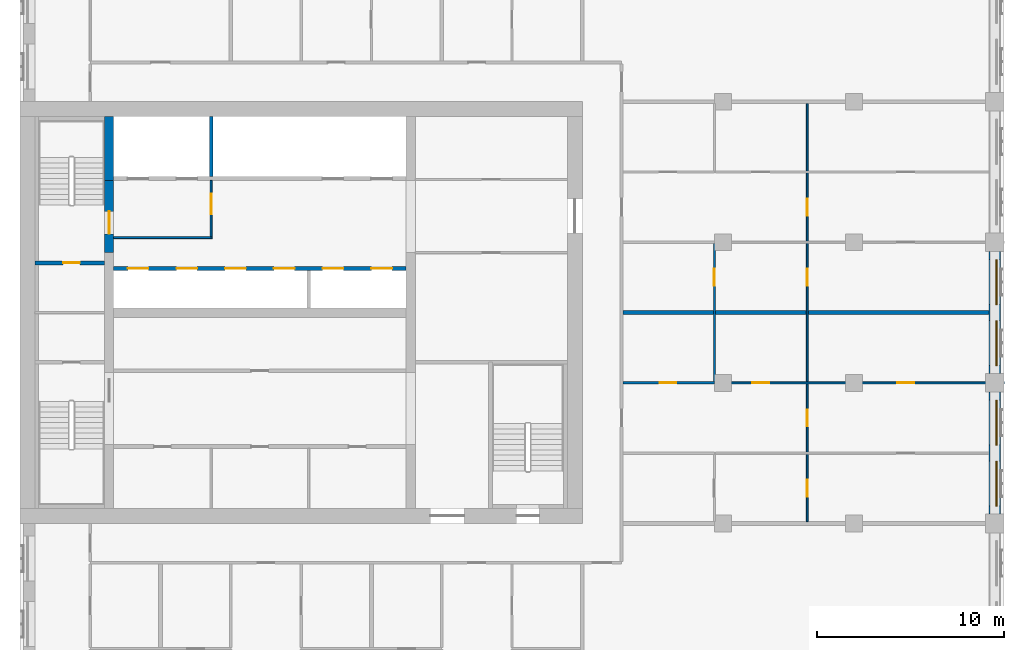
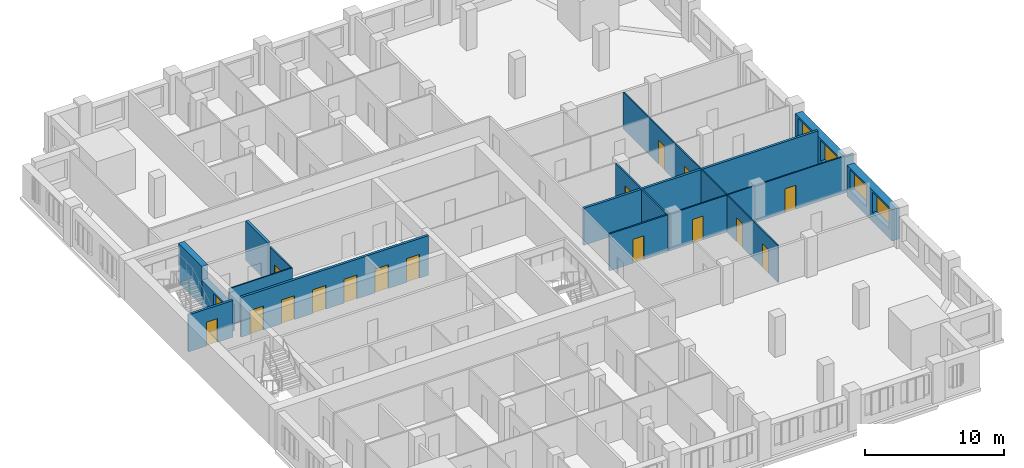
# One storey, part 9 of 14: 17 doors, 14 walls, 4 windows, 21 openings.
"""IFC4 building model written with IfcOpenShell, lengths in metres."""

from ifc_helpers import new_model, si_unit, direction, frame, frame_2d, origin, place, context, subcontext, project, spatial, rectangle, extrude, material, layer, layer_set, type_object, element, fill, save


model = new_model("IFC4")

# Units and contexts
model_context = context("Model", 3, precision=1e-05, world=origin(), true_north=direction((0.0, 1.0)))
body_context = subcontext(model_context, "Body", "Model", "MODEL_VIEW")
ifc_project = project(units=[si_unit("LENGTHUNIT", "METRE"), si_unit("AREAUNIT", "SQUARE_METRE"), si_unit("VOLUMEUNIT", "CUBIC_METRE"), si_unit("PLANEANGLEUNIT", "RADIAN"), si_unit("MASSUNIT", "GRAM", prefix="KILO")], contexts=[model_context])

# Site, building, storey
site_placement = place(None, origin())
site = spatial("IfcSite", under=ifc_project, at=site_placement, CompositionType="ELEMENT")
building_placement = place(site_placement, origin())
building = spatial("IfcBuilding", under=site, at=building_placement, Name="Tamorin Gate", CompositionType="ELEMENT")
storey_placement = place(building_placement, frame((0.0, 0.0, 193.199951171875)))
storey = spatial("IfcBuildingStorey", under=building, at=storey_placement, Name="L47", CompositionType="ELEMENT", Elevation=193.199951171875)

# Wall, openings, windows
ifc_material_1 = material(Name="Precast concrete C40/50", Category="concrete")
ifc_layer_1 = layer(ifc_material_1, 0.60009765625)
ifc_layer_set_1 = layer_set([ifc_layer_1], Name="Precast concrete C40/50")
wall_type_1 = type_object("IfcWallType", Name="Board-marked concrete facade panel 600", PredefinedType="SOLIDWALL", material=ifc_layer_set_1)
wall_1_placement = place(storey_placement, frame((82.0, 60.5, 0.0), z_axis=(0.0, 0.0, 1.0), x_axis=(0.0, 1.0, 0.0)))
wall_1 = element("IfcWall", 1, at=wall_1_placement, inside=storey, type_object=wall_type_1, Name="Facade panel", PredefinedType="SOLIDWALL", context=body_context, shape_type="SweptSolid", body=[
    extrude(rectangle(XDim=6.5, YDim=0.60009765625, at=frame_2d((3.25, 0.0))), origin(), (0.0, 0.0, 1.0), 2.75),
])
opening_1_placement = place(wall_1_placement, frame((0.425048828125, 0.0, 0.800048828125)))
opening_1 = element("IfcOpeningElement", 2, at=opening_1_placement, cuts=wall_1, Name="Opening WN1", PredefinedType="OPENING", context=body_context, shape_type="SweptSolid", body=[
    extrude(rectangle(XDim=2.39990234375, YDim=1.800048828125, at=frame_2d((1.199951171875, 0.89990234375))), frame((0.0, 0.31005859375, 0.0), z_axis=(0.0, -1.0, 0.0), x_axis=(1.0, 0.0, 0.0)), (0.0, 0.0, 1.0), 0.6201171875),
])
opening_2_placement = place(wall_1_placement, frame((3.675048828125, 0.0, 0.800048828125)))
opening_2 = element("IfcOpeningElement", 3, at=opening_2_placement, cuts=wall_1, Name="Opening WN1", PredefinedType="OPENING", context=body_context, shape_type="SweptSolid", body=[
    extrude(rectangle(XDim=2.39990234375, YDim=1.800048828125, at=frame_2d((1.199951171875, 0.89990234375))), frame((0.0, 0.31005859375, 0.0), z_axis=(0.0, -1.0, 0.0), x_axis=(1.0, 0.0, 0.0)), (0.0, 0.0, 1.0), 0.6201171875),
])
ifc_material_2 = material(Name="Clear glass in aluminium frame", Category="aluminium")
window_type = type_object("IfcWindowType", Name="Deep-set window 2400x1800", PartitioningType="SINGLE_PANEL", PredefinedType="WINDOW", material=ifc_material_2)
window_1_placement = place(opening_1_placement, origin())
window_1 = element("IfcWindow", 4, at=window_1_placement, inside=storey, type_object=window_type, Name="Deep-set window", OverallHeight=1.800048828125, OverallWidth=2.39990234375, PartitioningType="SINGLE_PANEL", PredefinedType="WINDOW", context=body_context, shape_type="SweptSolid", body=[
    extrude(rectangle(XDim=2.39990234375, YDim=1.800048828125, at=frame_2d((1.199951171875, 0.89990234375))), frame((0.0, -0.070068359375, 0.0), z_axis=(0.0, -1.0, 0.0), x_axis=(1.0, 0.0, 0.0)), (0.0, 0.0, 1.0), 0.06005859375),
])
fill(opening_1, window_1)
window_2_placement = place(opening_2_placement, origin())
window_2 = element("IfcWindow", 5, at=window_2_placement, inside=storey, type_object=window_type, Name="Deep-set window", OverallHeight=1.800048828125, OverallWidth=2.39990234375, PartitioningType="SINGLE_PANEL", PredefinedType="WINDOW", context=body_context, shape_type="SweptSolid", body=[
    extrude(rectangle(XDim=2.39990234375, YDim=1.800048828125, at=frame_2d((1.199951171875, 0.89990234375))), frame((0.0, -0.070068359375, 0.0), z_axis=(0.0, -1.0, 0.0), x_axis=(1.0, 0.0, 0.0)), (0.0, 0.0, 1.0), 0.06005859375),
])
fill(opening_2, window_2)

wall_2_placement = place(storey_placement, frame((82.0, 68.0, 0.0), z_axis=(0.0, 0.0, 1.0), x_axis=(0.0, 1.0, 0.0)))
wall_2 = element("IfcWall", 6, at=wall_2_placement, inside=storey, type_object=wall_type_1, Name="Facade panel", PredefinedType="SOLIDWALL", context=body_context, shape_type="SweptSolid", body=[
    extrude(rectangle(XDim=6.5, YDim=0.60009765625, at=frame_2d((3.25, 0.0))), origin(), (0.0, 0.0, 1.0), 2.75),
])
opening_3_placement = place(wall_2_placement, frame((0.425048828125, 0.0, 0.800048828125)))
opening_3 = element("IfcOpeningElement", 7, at=opening_3_placement, cuts=wall_2, Name="Opening WN1", PredefinedType="OPENING", context=body_context, shape_type="SweptSolid", body=[
    extrude(rectangle(XDim=2.39990234375, YDim=1.800048828125, at=frame_2d((1.199951171875, 0.89990234375))), frame((0.0, 0.31005859375, 0.0), z_axis=(0.0, -1.0, 0.0), x_axis=(1.0, 0.0, 0.0)), (0.0, 0.0, 1.0), 0.6201171875),
])
opening_4_placement = place(wall_2_placement, frame((3.675048828125, 0.0, 0.800048828125)))
opening_4 = element("IfcOpeningElement", 8, at=opening_4_placement, cuts=wall_2, Name="Opening WN1", PredefinedType="OPENING", context=body_context, shape_type="SweptSolid", body=[
    extrude(rectangle(XDim=2.39990234375, YDim=1.800048828125, at=frame_2d((1.199951171875, 0.89990234375))), frame((0.0, 0.31005859375, 0.0), z_axis=(0.0, -1.0, 0.0), x_axis=(1.0, 0.0, 0.0)), (0.0, 0.0, 1.0), 0.6201171875),
])
window_3_placement = place(opening_3_placement, origin())
window_3 = element("IfcWindow", 9, at=window_3_placement, inside=storey, type_object=window_type, Name="Deep-set window", OverallHeight=1.800048828125, OverallWidth=2.39990234375, PartitioningType="SINGLE_PANEL", PredefinedType="WINDOW", context=body_context, shape_type="SweptSolid", body=[
    extrude(rectangle(XDim=2.39990234375, YDim=1.800048828125, at=frame_2d((1.199951171875, 0.89990234375))), frame((0.0, -0.070068359375, 0.0), z_axis=(0.0, -1.0, 0.0), x_axis=(1.0, 0.0, 0.0)), (0.0, 0.0, 1.0), 0.06005859375),
])
fill(opening_3, window_3)
window_4_placement = place(opening_4_placement, origin())
window_4 = element("IfcWindow", 10, at=window_4_placement, inside=storey, type_object=window_type, Name="Deep-set window", OverallHeight=1.800048828125, OverallWidth=2.39990234375, PartitioningType="SINGLE_PANEL", PredefinedType="WINDOW", context=body_context, shape_type="SweptSolid", body=[
    extrude(rectangle(XDim=2.39990234375, YDim=1.800048828125, at=frame_2d((1.199951171875, 0.89990234375))), frame((0.0, -0.070068359375, 0.0), z_axis=(0.0, -1.0, 0.0), x_axis=(1.0, 0.0, 0.0)), (0.0, 0.0, 1.0), 0.06005859375),
])
fill(opening_4, window_4)

# Wall
ifc_material_3 = material(Name="Gypsum board partition")
ifc_layer_2 = layer(ifc_material_3, 0.199951171875)
ifc_layer_set_2 = layer_set([ifc_layer_2], Name="Demising wall 200")
wall_type_2 = type_object("IfcWallType", Name="Demising wall 200", PredefinedType="PARTITIONING", material=ifc_layer_set_2)
wall_3_placement = place(storey_placement, frame((62.175048828125, 71.25, 0.0), z_axis=(0.0, 0.0, 1.0), x_axis=(1.0, 0.0, 0.0)))
element("IfcWall", 11, at=wall_3_placement, inside=storey, type_object=wall_type_2, Name="Demising wall 200", PredefinedType="PARTITIONING", context=body_context, shape_type="SweptSolid", body=[
    extrude(rectangle(XDim=19.514892578125, YDim=0.199951171875, at=frame_2d((9.75732421875, 0.0))), origin(), (0.0, 0.0, 1.0), 3.25),
])

# Wall, openings, doors
ifc_material_4 = material(Name="Concrete C32/40", Category="concrete")
ifc_layer_3 = layer(ifc_material_4, 0.199951171875)
ifc_layer_set_3 = layer_set([ifc_layer_3], Name="Lift lobby face wall 200 EI 120")
wall_type_3 = type_object("IfcWallType", Name="Lift lobby face wall 200 EI 120", PredefinedType="SOLIDWALL", material=ifc_layer_set_3)
wall_4_placement = place(storey_placement, frame((35.0, 73.60009765625, 0.0), z_axis=(0.0, 0.0, 1.0), x_axis=(1.0, 0.0, 0.0)))
wall_4 = element("IfcWall", 12, at=wall_4_placement, inside=storey, type_object=wall_type_3, Name="Lift lobby face wall", PredefinedType="SOLIDWALL", context=body_context, shape_type="SweptSolid", body=[
    extrude(rectangle(XDim=15.60009765625, YDim=0.199951171875, at=frame_2d((7.800048828125, 0.0))), origin(), (0.0, 0.0, 1.0), 3.5),
])
opening_5_placement = place(wall_4_placement, frame((0.75, 0.0, 0.0)))
opening_5 = element("IfcOpeningElement", 13, at=opening_5_placement, cuts=wall_4, Name="Opening LD11", PredefinedType="OPENING", context=body_context, shape_type="SweptSolid", body=[
    extrude(rectangle(XDim=1.10009765625, YDim=2.10009765625, at=frame_2d((0.550048828125, 1.050048828125))), frame((0.0, 0.10986328125, 0.0), z_axis=(0.0, -1.0, 0.0), x_axis=(1.0, 0.0, 0.0)), (0.0, 0.0, 1.0), 0.219970703125),
])
opening_6_placement = place(wall_4_placement, frame((3.35009765625, 0.0, 0.0)))
opening_6 = element("IfcOpeningElement", 14, at=opening_6_placement, cuts=wall_4, Name="Opening LD12", PredefinedType="OPENING", context=body_context, shape_type="SweptSolid", body=[
    extrude(rectangle(XDim=1.10009765625, YDim=2.10009765625, at=frame_2d((0.550048828125, 1.050048828125))), frame((0.0, 0.10986328125, 0.0), z_axis=(0.0, -1.0, 0.0), x_axis=(1.0, 0.0, 0.0)), (0.0, 0.0, 1.0), 0.219970703125),
])
opening_7_placement = place(wall_4_placement, frame((5.949951171875, 0.0, 0.0)))
opening_7 = element("IfcOpeningElement", 15, at=opening_7_placement, cuts=wall_4, Name="Opening LD13", PredefinedType="OPENING", context=body_context, shape_type="SweptSolid", body=[
    extrude(rectangle(XDim=1.10009765625, YDim=2.10009765625, at=frame_2d((0.550048828125, 1.050048828125))), frame((0.0, 0.10986328125, 0.0), z_axis=(0.0, -1.0, 0.0), x_axis=(1.0, 0.0, 0.0)), (0.0, 0.0, 1.0), 0.219970703125),
])
opening_8_placement = place(wall_4_placement, frame((8.550048828125, 0.0, 0.0)))
opening_8 = element("IfcOpeningElement", 16, at=opening_8_placement, cuts=wall_4, Name="Opening LD14", PredefinedType="OPENING", context=body_context, shape_type="SweptSolid", body=[
    extrude(rectangle(XDim=1.10009765625, YDim=2.10009765625, at=frame_2d((0.550048828125, 1.050048828125))), frame((0.0, 0.10986328125, 0.0), z_axis=(0.0, -1.0, 0.0), x_axis=(1.0, 0.0, 0.0)), (0.0, 0.0, 1.0), 0.219970703125),
])
opening_9_placement = place(wall_4_placement, frame((11.14990234375, 0.0, 0.0)))
opening_9 = element("IfcOpeningElement", 17, at=opening_9_placement, cuts=wall_4, Name="Opening LD15", PredefinedType="OPENING", context=body_context, shape_type="SweptSolid", body=[
    extrude(rectangle(XDim=1.10009765625, YDim=2.10009765625, at=frame_2d((0.550048828125, 1.050048828125))), frame((0.0, 0.10986328125, 0.0), z_axis=(0.0, -1.0, 0.0), x_axis=(1.0, 0.0, 0.0)), (0.0, 0.0, 1.0), 0.219970703125),
])
opening_10_placement = place(wall_4_placement, frame((13.75, 0.0, 0.0)))
opening_10 = element("IfcOpeningElement", 18, at=opening_10_placement, cuts=wall_4, Name="Opening LD16", PredefinedType="OPENING", context=body_context, shape_type="SweptSolid", body=[
    extrude(rectangle(XDim=1.10009765625, YDim=2.10009765625, at=frame_2d((0.550048828125, 1.050048828125))), frame((0.0, 0.10986328125, 0.0), z_axis=(0.0, -1.0, 0.0), x_axis=(1.0, 0.0, 0.0)), (0.0, 0.0, 1.0), 0.219970703125),
])
ifc_material_5 = material(Name="Stainless steel sliding door", Category="steel")
door_type_1 = type_object("IfcDoorType", Name="Lift landing door 1100 x 2100 E 90", OperationType="DOUBLE_DOOR_SLIDING", PredefinedType="DOOR", material=ifc_material_5)
door_1_placement = place(opening_5_placement, origin())
door_1 = element("IfcDoor", 19, at=door_1_placement, inside=storey, type_object=door_type_1, Name="HR1 landing door", OperationType="DOUBLE_DOOR_SLIDING", OverallHeight=2.10009765625, OverallWidth=1.10009765625, PredefinedType="DOOR", context=body_context, shape_type="SweptSolid", body=[
    extrude(rectangle(XDim=1.10009765625, YDim=2.10009765625, at=frame_2d((0.550048828125, 1.050048828125))), frame((0.0, 0.02490234375, 0.0), z_axis=(0.0, -1.0, 0.0), x_axis=(1.0, 0.0, 0.0)), (0.0, 0.0, 1.0), 0.050048828125),
])
fill(opening_5, door_1)
door_2_placement = place(opening_6_placement, origin())
door_2 = element("IfcDoor", 20, at=door_2_placement, inside=storey, type_object=door_type_1, Name="HR2 landing door", OperationType="DOUBLE_DOOR_SLIDING", OverallHeight=2.10009765625, OverallWidth=1.10009765625, PredefinedType="DOOR", context=body_context, shape_type="SweptSolid", body=[
    extrude(rectangle(XDim=1.10009765625, YDim=2.10009765625, at=frame_2d((0.550048828125, 1.050048828125))), frame((0.0, 0.02490234375, 0.0), z_axis=(0.0, -1.0, 0.0), x_axis=(1.0, 0.0, 0.0)), (0.0, 0.0, 1.0), 0.050048828125),
])
fill(opening_6, door_2)
door_3_placement = place(opening_7_placement, origin())
door_3 = element("IfcDoor", 21, at=door_3_placement, inside=storey, type_object=door_type_1, Name="HR3 landing door", OperationType="DOUBLE_DOOR_SLIDING", OverallHeight=2.10009765625, OverallWidth=1.10009765625, PredefinedType="DOOR", context=body_context, shape_type="SweptSolid", body=[
    extrude(rectangle(XDim=1.10009765625, YDim=2.10009765625, at=frame_2d((0.550048828125, 1.050048828125))), frame((0.0, 0.02490234375, 0.0), z_axis=(0.0, -1.0, 0.0), x_axis=(1.0, 0.0, 0.0)), (0.0, 0.0, 1.0), 0.050048828125),
])
fill(opening_7, door_3)
door_4_placement = place(opening_8_placement, origin())
door_4 = element("IfcDoor", 22, at=door_4_placement, inside=storey, type_object=door_type_1, Name="HR4 landing door", OperationType="DOUBLE_DOOR_SLIDING", OverallHeight=2.10009765625, OverallWidth=1.10009765625, PredefinedType="DOOR", context=body_context, shape_type="SweptSolid", body=[
    extrude(rectangle(XDim=1.10009765625, YDim=2.10009765625, at=frame_2d((0.550048828125, 1.050048828125))), frame((0.0, 0.02490234375, 0.0), z_axis=(0.0, -1.0, 0.0), x_axis=(1.0, 0.0, 0.0)), (0.0, 0.0, 1.0), 0.050048828125),
])
fill(opening_8, door_4)
door_5_placement = place(opening_9_placement, origin())
door_5 = element("IfcDoor", 23, at=door_5_placement, inside=storey, type_object=door_type_1, Name="HR5 landing door", OperationType="DOUBLE_DOOR_SLIDING", OverallHeight=2.10009765625, OverallWidth=1.10009765625, PredefinedType="DOOR", context=body_context, shape_type="SweptSolid", body=[
    extrude(rectangle(XDim=1.10009765625, YDim=2.10009765625, at=frame_2d((0.550048828125, 1.050048828125))), frame((0.0, 0.02490234375, 0.0), z_axis=(0.0, -1.0, 0.0), x_axis=(1.0, 0.0, 0.0)), (0.0, 0.0, 1.0), 0.050048828125),
])
fill(opening_9, door_5)
door_6_placement = place(opening_10_placement, origin())
door_6 = element("IfcDoor", 24, at=door_6_placement, inside=storey, type_object=door_type_1, Name="HR6 landing door", OperationType="DOUBLE_DOOR_SLIDING", OverallHeight=2.10009765625, OverallWidth=1.10009765625, PredefinedType="DOOR", context=body_context, shape_type="SweptSolid", body=[
    extrude(rectangle(XDim=1.10009765625, YDim=2.10009765625, at=frame_2d((0.550048828125, 1.050048828125))), frame((0.0, 0.02490234375, 0.0), z_axis=(0.0, -1.0, 0.0), x_axis=(1.0, 0.0, 0.0)), (0.0, 0.0, 1.0), 0.050048828125),
])
fill(opening_10, door_6)

# Walls
ifc_layer_4 = layer(ifc_material_4, 0.199951171875)
ifc_layer_set_4 = layer_set([ifc_layer_4], Name="Lift shaft wall 200 EI 120")
wall_type_4 = type_object("IfcWallType", Name="Lift shaft wall 200 EI 120", PredefinedType="SOLIDWALL", material=ifc_layer_set_4)
wall_5_placement = place(storey_placement, frame((40.199951171875, 78.5, 0.0), z_axis=(0.0, 0.0, 1.0), x_axis=(0.0, 1.0, 0.0)))
element("IfcWall", 25, at=wall_5_placement, inside=storey, type_object=wall_type_4, Name="Lift shaft wall", PredefinedType="SOLIDWALL", context=body_context, shape_type="SweptSolid", body=[
    extrude(rectangle(XDim=3.199951171875, YDim=0.199951171875, at=frame_2d((1.60009765625, 0.0))), origin(), (0.0, 0.0, 1.0), 3.5),
])
ifc_material_6 = material(Name="Fire-rated gypsum board partition")
ifc_layer_5 = layer(ifc_material_6, 0.10009765625)
ifc_layer_set_5 = layer_set([ifc_layer_5], Name="Lobby wall 100 EI 60")
wall_type_5 = type_object("IfcWallType", Name="Lobby wall 100 EI 60", PredefinedType="PARTITIONING", material=ifc_layer_set_5)
wall_6_placement = place(storey_placement, frame((35.0, 75.25, 0.0), z_axis=(0.0, 0.0, 1.0), x_axis=(1.0, 0.0, 0.0)))
element("IfcWall", 26, at=wall_6_placement, inside=storey, type_object=wall_type_5, Name="Firefighting lobby wall", PredefinedType="PARTITIONING", context=body_context, shape_type="SweptSolid", body=[
    extrude(rectangle(XDim=5.25, YDim=0.10009765625, at=frame_2d((2.625, 0.0))), origin(), (0.0, 0.0, 1.0), 3.25),
])

# Wall, opening, door
wall_7_placement = place(storey_placement, frame((40.199951171875, 75.300048828125, 0.0), z_axis=(0.0, 0.0, 1.0), x_axis=(0.0, 1.0, 0.0)))
wall_7 = element("IfcWall", 27, at=wall_7_placement, inside=storey, type_object=wall_type_5, Name="Firefighting lobby wall", PredefinedType="PARTITIONING", context=body_context, shape_type="SweptSolid", body=[
    extrude(rectangle(XDim=3.0, YDim=0.10009765625, at=frame_2d((1.5, 0.0))), origin(), (0.0, 0.0, 1.0), 3.25),
])
opening_11_placement = place(wall_7_placement, frame((1.199951171875, 0.0, 0.0)))
opening_11 = element("IfcOpeningElement", 28, at=opening_11_placement, cuts=wall_7, Name="Opening DF1", PredefinedType="OPENING", context=body_context, shape_type="SweptSolid", body=[
    extrude(rectangle(XDim=1.10009765625, YDim=2.10009765625, at=frame_2d((0.550048828125, 1.050048828125))), frame((0.0, 0.06005859375, 0.0), z_axis=(0.0, -1.0, 0.0), x_axis=(1.0, 0.0, 0.0)), (0.0, 0.0, 1.0), 0.1201171875),
])
ifc_material_7 = material(Name="Steel fire door", Category="steel")
door_type_2 = type_object("IfcDoorType", Name="Firefighting lobby door 1100 x 2100 EI 90", OperationType="SINGLE_SWING_LEFT", PredefinedType="DOOR", material=ifc_material_7)
door_7_placement = place(opening_11_placement, origin())
door_7 = element("IfcDoor", 29, at=door_7_placement, inside=storey, type_object=door_type_2, Name="Firefighting lobby door", OperationType="SINGLE_SWING_LEFT", OverallHeight=2.10009765625, OverallWidth=1.10009765625, PredefinedType="DOOR", context=body_context, shape_type="SweptSolid", body=[
    extrude(rectangle(XDim=1.10009765625, YDim=2.10009765625, at=frame_2d((0.550048828125, 1.050048828125))), frame((0.0, 0.02490234375, 0.0), z_axis=(0.0, -1.0, 0.0), x_axis=(1.0, 0.0, 0.0)), (0.0, 0.0, 1.0), 0.050048828125),
])
fill(opening_11, door_7)

# Wall
ifc_material_8 = material(Name="Concrete C60/75", Category="concrete")
ifc_layer_6 = layer(ifc_material_8, 0.5)
ifc_layer_set_6 = layer_set([ifc_layer_6], Name="RC core internal wall 500 C60/75")
wall_type_6 = type_object("IfcWallType", Name="RC core internal wall 500 C60/75", PredefinedType="SHEAR", material=ifc_layer_set_6)
wall_8_placement = place(storey_placement, frame((34.75, 78.300048828125, 0.0), z_axis=(0.0, 0.0, 1.0), x_axis=(0.0, 1.0, 0.0)))
element("IfcWall", 30, at=wall_8_placement, inside=storey, type_object=wall_type_6, Name="Core cross wall L47", PredefinedType="SHEAR", context=body_context, shape_type="SweptSolid", body=[
    extrude(rectangle(XDim=3.39990234375, YDim=0.5, at=frame_2d((1.699951171875, 0.0))), origin(), (0.0, 0.0, 1.0), 3.5),
])

# Wall, openings, doors
ifc_layer_7 = layer(ifc_material_3, 0.10009765625)
ifc_layer_set_7 = layer_set([ifc_layer_7], Name="Room partition 100")
wall_type_7 = type_object("IfcWallType", Name="Room partition 100", PredefinedType="PARTITIONING", material=ifc_layer_set_7)
wall_9_placement = place(storey_placement, frame((67.112548828125, 67.5, 0.0), z_axis=(0.0, 0.0, 1.0), x_axis=(1.0, 0.0, 0.0)))
wall_9 = element("IfcWall", 31, at=wall_9_placement, inside=storey, type_object=wall_type_7, Name="Room partition 100", PredefinedType="PARTITIONING", context=body_context, shape_type="SweptSolid", body=[
    extrude(rectangle(XDim=15.387451171875, YDim=0.10009765625, at=frame_2d((7.69384765625, 0.0))), origin(), (0.0, 0.0, 1.0), 3.25),
])
opening_12_placement = place(wall_9_placement, frame((1.96240234375, 0.0, 0.0)))
opening_12 = element("IfcOpeningElement", 32, at=opening_12_placement, cuts=wall_9, Name="Opening DR1041", PredefinedType="OPENING", context=body_context, shape_type="SweptSolid", body=[
    extrude(rectangle(XDim=0.89990234375, YDim=2.10009765625, at=frame_2d((0.449951171875, 1.050048828125))), frame((0.0, 0.06005859375, 0.0), z_axis=(0.0, -1.0, 0.0), x_axis=(1.0, 0.0, 0.0)), (0.0, 0.0, 1.0), 0.1201171875),
])
opening_13_placement = place(wall_9_placement, frame((9.6875, 0.0, 0.0)))
opening_13 = element("IfcOpeningElement", 33, at=opening_13_placement, cuts=wall_9, Name="Opening DR1044", PredefinedType="OPENING", context=body_context, shape_type="SweptSolid", body=[
    extrude(rectangle(XDim=0.89990234375, YDim=2.10009765625, at=frame_2d((0.449951171875, 1.050048828125))), frame((0.0, 0.06005859375, 0.0), z_axis=(0.0, -1.0, 0.0), x_axis=(1.0, 0.0, 0.0)), (0.0, 0.0, 1.0), 0.1201171875),
])
ifc_material_9 = material(Name="Timber door leaf", Category="wood")
door_type_3 = type_object("IfcDoorType", Name="Door 900 x 2100", OperationType="NOTDEFINED", PredefinedType="DOOR", material=ifc_material_9)
door_8_placement = place(opening_12_placement, origin())
door_8 = element("IfcDoor", 34, at=door_8_placement, inside=storey, type_object=door_type_3, Name="Door DR1041", OperationType="SINGLE_SWING_LEFT", OverallHeight=2.10009765625, OverallWidth=0.89990234375, PredefinedType="DOOR", context=body_context, shape_type="SweptSolid", body=[
    extrude(rectangle(XDim=0.89990234375, YDim=2.10009765625, at=frame_2d((0.449951171875, 1.050048828125))), frame((0.0, 0.02490234375, 0.0), z_axis=(0.0, -1.0, 0.0), x_axis=(1.0, 0.0, 0.0)), (0.0, 0.0, 1.0), 0.050048828125),
])
fill(opening_12, door_8)
door_9_placement = place(opening_13_placement, origin())
door_9 = element("IfcDoor", 35, at=door_9_placement, inside=storey, type_object=door_type_3, Name="Door DR1044", OperationType="SINGLE_SWING_RIGHT", OverallHeight=2.10009765625, OverallWidth=0.89990234375, PredefinedType="DOOR", context=body_context, shape_type="SweptSolid", body=[
    extrude(rectangle(XDim=0.89990234375, YDim=2.10009765625, at=frame_2d((0.449951171875, 1.050048828125))), frame((0.0, 0.02490234375, 0.0), z_axis=(0.0, -1.0, 0.0), x_axis=(1.0, 0.0, 0.0)), (0.0, 0.0, 1.0), 0.050048828125),
])
fill(opening_13, door_9)

wall_10_placement = place(storey_placement, frame((72.0, 60.10009765625, 0.0), z_axis=(0.0, 0.0, 1.0), x_axis=(0.0, 1.0, 0.0)))
wall_10 = element("IfcWall", 36, at=wall_10_placement, inside=storey, type_object=wall_type_7, Name="Room partition 100", PredefinedType="PARTITIONING", context=body_context, shape_type="SweptSolid", body=[
    extrude(rectangle(XDim=22.2998046875, YDim=0.10009765625, at=frame_2d((11.14990234375, 0.0))), origin(), (0.0, 0.0, 1.0), 3.25),
])
opening_14_placement = place(wall_10_placement, frame((1.324951171875, 0.0, 0.0)))
opening_14 = element("IfcOpeningElement", 37, at=opening_14_placement, cuts=wall_10, Name="Opening DR1037", PredefinedType="OPENING", context=body_context, shape_type="SweptSolid", body=[
    extrude(rectangle(XDim=0.89990234375, YDim=2.10009765625, at=frame_2d((0.449951171875, 1.050048828125))), frame((0.0, 0.06005859375, 0.0), z_axis=(0.0, -1.0, 0.0), x_axis=(1.0, 0.0, 0.0)), (0.0, 0.0, 1.0), 0.1201171875),
])
opening_15_placement = place(wall_10_placement, frame((5.074951171875, 0.0, 0.0)))
opening_15 = element("IfcOpeningElement", 38, at=opening_15_placement, cuts=wall_10, Name="Opening DR1040", PredefinedType="OPENING", context=body_context, shape_type="SweptSolid", body=[
    extrude(rectangle(XDim=0.89990234375, YDim=2.10009765625, at=frame_2d((0.449951171875, 1.050048828125))), frame((0.0, 0.06005859375, 0.0), z_axis=(0.0, -1.0, 0.0), x_axis=(1.0, 0.0, 0.0)), (0.0, 0.0, 1.0), 0.1201171875),
])
opening_16_placement = place(wall_10_placement, frame((12.574951171875, 0.0, 0.0)))
opening_16 = element("IfcOpeningElement", 39, at=opening_16_placement, cuts=wall_10, Name="Opening DR1045", PredefinedType="OPENING", context=body_context, shape_type="SweptSolid", body=[
    extrude(rectangle(XDim=0.89990234375, YDim=2.10009765625, at=frame_2d((0.449951171875, 1.050048828125))), frame((0.0, 0.06005859375, 0.0), z_axis=(0.0, -1.0, 0.0), x_axis=(1.0, 0.0, 0.0)), (0.0, 0.0, 1.0), 0.1201171875),
])
opening_17_placement = place(wall_10_placement, frame((16.324951171875, 0.0, 0.0)))
opening_17 = element("IfcOpeningElement", 40, at=opening_17_placement, cuts=wall_10, Name="Opening DR1048", PredefinedType="OPENING", context=body_context, shape_type="SweptSolid", body=[
    extrude(rectangle(XDim=0.89990234375, YDim=2.10009765625, at=frame_2d((0.449951171875, 1.050048828125))), frame((0.0, 0.06005859375, 0.0), z_axis=(0.0, -1.0, 0.0), x_axis=(1.0, 0.0, 0.0)), (0.0, 0.0, 1.0), 0.1201171875),
])
door_10_placement = place(opening_14_placement, origin())
door_10 = element("IfcDoor", 41, at=door_10_placement, inside=storey, type_object=door_type_3, Name="Door DR1037", OperationType="SINGLE_SWING_LEFT", OverallHeight=2.10009765625, OverallWidth=0.89990234375, PredefinedType="DOOR", context=body_context, shape_type="SweptSolid", body=[
    extrude(rectangle(XDim=0.89990234375, YDim=2.10009765625, at=frame_2d((0.449951171875, 1.050048828125))), frame((0.0, 0.02490234375, 0.0), z_axis=(0.0, -1.0, 0.0), x_axis=(1.0, 0.0, 0.0)), (0.0, 0.0, 1.0), 0.050048828125),
])
fill(opening_14, door_10)
door_11_placement = place(opening_15_placement, origin())
door_11 = element("IfcDoor", 42, at=door_11_placement, inside=storey, type_object=door_type_3, Name="Door DR1040", OperationType="SINGLE_SWING_LEFT", OverallHeight=2.10009765625, OverallWidth=0.89990234375, PredefinedType="DOOR", context=body_context, shape_type="SweptSolid", body=[
    extrude(rectangle(XDim=0.89990234375, YDim=2.10009765625, at=frame_2d((0.449951171875, 1.050048828125))), frame((0.0, 0.02490234375, 0.0), z_axis=(0.0, -1.0, 0.0), x_axis=(1.0, 0.0, 0.0)), (0.0, 0.0, 1.0), 0.050048828125),
])
fill(opening_15, door_11)
door_12_placement = place(opening_16_placement, origin())
door_12 = element("IfcDoor", 43, at=door_12_placement, inside=storey, type_object=door_type_3, Name="Door DR1045", OperationType="SINGLE_SWING_LEFT", OverallHeight=2.10009765625, OverallWidth=0.89990234375, PredefinedType="DOOR", context=body_context, shape_type="SweptSolid", body=[
    extrude(rectangle(XDim=0.89990234375, YDim=2.10009765625, at=frame_2d((0.449951171875, 1.050048828125))), frame((0.0, 0.02490234375, 0.0), z_axis=(0.0, -1.0, 0.0), x_axis=(1.0, 0.0, 0.0)), (0.0, 0.0, 1.0), 0.050048828125),
])
fill(opening_16, door_12)
door_13_placement = place(opening_17_placement, origin())
door_13 = element("IfcDoor", 44, at=door_13_placement, inside=storey, type_object=door_type_3, Name="Door DR1048", OperationType="SINGLE_SWING_LEFT", OverallHeight=2.10009765625, OverallWidth=0.89990234375, PredefinedType="DOOR", context=body_context, shape_type="SweptSolid", body=[
    extrude(rectangle(XDim=0.89990234375, YDim=2.10009765625, at=frame_2d((0.449951171875, 1.050048828125))), frame((0.0, 0.02490234375, 0.0), z_axis=(0.0, -1.0, 0.0), x_axis=(1.0, 0.0, 0.0)), (0.0, 0.0, 1.0), 0.050048828125),
])
fill(opening_17, door_13)

# Wall, opening, door
ifc_material_10 = material(Name="Concrete C40/50", Category="concrete")
ifc_layer_8 = layer(ifc_material_10, 0.199951171875)
ifc_layer_set_8 = layer_set([ifc_layer_8], Name="Stair enclosure wall 200 EI 120 C40/50")
wall_type_8 = type_object("IfcWallType", Name="Stair enclosure wall 200 EI 120 C40/50", PredefinedType="SOLIDWALL", material=ifc_layer_set_8)
wall_11_placement = place(storey_placement, frame((30.800048828125, 73.89990234375, 0.0), z_axis=(0.0, 0.0, 1.0), x_axis=(1.0, 0.0, 0.0)))
wall_11 = element("IfcWall", 45, at=wall_11_placement, inside=storey, type_object=wall_type_8, Name="Stair enclosure wall", PredefinedType="SOLIDWALL", context=body_context, shape_type="SweptSolid", body=[
    extrude(rectangle(XDim=3.699951171875, YDim=0.199951171875, at=frame_2d((1.85009765625, 0.0))), origin(), (0.0, 0.0, 1.0), 3.25),
])
opening_18_placement = place(wall_11_placement, frame((1.5, 0.0, 0.0)))
opening_18 = element("IfcOpeningElement", 46, at=opening_18_placement, cuts=wall_11, Name="Opening DR1", PredefinedType="OPENING", context=body_context, shape_type="SweptSolid", body=[
    extrude(rectangle(XDim=0.89990234375, YDim=2.10009765625, at=frame_2d((0.449951171875, 1.050048828125))), frame((0.0, 0.10986328125, 0.0), z_axis=(0.0, -1.0, 0.0), x_axis=(1.0, 0.0, 0.0)), (0.0, 0.0, 1.0), 0.219970703125),
])
door_type_4 = type_object("IfcDoorType", Name="Riser access door 900 x 2100 EI 120", OperationType="SINGLE_SWING_LEFT", PredefinedType="DOOR", material=ifc_material_7)
door_14_placement = place(opening_18_placement, origin())
door_14 = element("IfcDoor", 47, at=door_14_placement, inside=storey, type_object=door_type_4, Name="Communications riser door", OperationType="SINGLE_SWING_RIGHT", OverallHeight=2.10009765625, OverallWidth=0.89990234375, PredefinedType="DOOR", context=body_context, shape_type="SweptSolid", body=[
    extrude(rectangle(XDim=0.89990234375, YDim=2.10009765625, at=frame_2d((0.449951171875, 1.050048828125))), frame((0.0, 0.02490234375, 0.0), z_axis=(0.0, -1.0, 0.0), x_axis=(1.0, 0.0, 0.0)), (0.0, 0.0, 1.0), 0.050048828125),
])
fill(opening_18, door_14)

ifc_layer_9 = layer(ifc_material_4, 0.5)
ifc_layer_set_9 = layer_set([ifc_layer_9], Name="Stair lobby infill wall 500 EI 120")
wall_type_9 = type_object("IfcWallType", Name="Stair lobby infill wall 500 EI 120", PredefinedType="SOLIDWALL", material=ifc_layer_set_9)
wall_12_placement = place(storey_placement, frame((34.75, 74.449951171875, 0.0), z_axis=(0.0, 0.0, 1.0), x_axis=(0.0, 1.0, 0.0)))
wall_12 = element("IfcWall", 48, at=wall_12_placement, inside=storey, type_object=wall_type_9, Name="Stair lobby infill wall", PredefinedType="SOLIDWALL", context=body_context, shape_type="SweptSolid", body=[
    extrude(rectangle(XDim=3.85009765625, YDim=0.5, at=frame_2d((1.925048828125, 0.0))), origin(), (0.0, 0.0, 1.0), 2.300048828125),
])
opening_19_placement = place(wall_12_placement, frame((1.0, 0.0, 0.0)))
opening_19 = element("IfcOpeningElement", 49, at=opening_19_placement, cuts=wall_12, Name="Opening DS1", PredefinedType="OPENING", context=body_context, shape_type="SweptSolid", body=[
    extrude(rectangle(XDim=1.199951171875, YDim=2.10009765625, at=frame_2d((0.60009765625, 1.050048828125))), frame((0.0, 0.260009765625, 0.0), z_axis=(0.0, -1.0, 0.0), x_axis=(1.0, 0.0, 0.0)), (0.0, 0.0, 1.0), 0.52001953125),
])
door_type_5 = type_object("IfcDoorType", Name="Stair door 1200 x 2100 EI 90", OperationType="SINGLE_SWING_LEFT", PredefinedType="DOOR", material=ifc_material_7)
door_15_placement = place(opening_19_placement, origin())
door_15 = element("IfcDoor", 50, at=door_15_placement, inside=storey, type_object=door_type_5, Name="ST2 door", OperationType="SINGLE_SWING_RIGHT", OverallHeight=2.10009765625, OverallWidth=1.199951171875, PredefinedType="DOOR", context=body_context, shape_type="SweptSolid", body=[
    extrude(rectangle(XDim=1.199951171875, YDim=2.10009765625, at=frame_2d((0.60009765625, 1.050048828125))), frame((0.0, 0.02490234375, 0.0), z_axis=(0.0, -1.0, 0.0), x_axis=(1.0, 0.0, 0.0)), (0.0, 0.0, 1.0), 0.050048828125),
])
fill(opening_19, door_15)

ifc_layer_10 = layer(ifc_material_3, 0.125)
ifc_layer_set_10 = layer_set([ifc_layer_10], Name="Wet wall 125")
wall_type_10 = type_object("IfcWallType", Name="Wet wall 125", PredefinedType="PARTITIONING", material=ifc_layer_set_10)
wall_13_placement = place(storey_placement, frame((62.175048828125, 67.5, 0.0), z_axis=(0.0, 0.0, 1.0), x_axis=(1.0, 0.0, 0.0)))
wall_13 = element("IfcWall", 51, at=wall_13_placement, inside=storey, type_object=wall_type_10, Name="Wet wall 125", PredefinedType="PARTITIONING", context=body_context, shape_type="SweptSolid", body=[
    extrude(rectangle(XDim=4.875, YDim=0.125, at=frame_2d((2.4375, 0.0))), origin(), (0.0, 0.0, 1.0), 3.25),
])
opening_20_placement = place(wall_13_placement, frame((1.949951171875, 0.0, 0.0)))
opening_20 = element("IfcOpeningElement", 52, at=opening_20_placement, cuts=wall_13, Name="Opening DR1042", PredefinedType="OPENING", context=body_context, shape_type="SweptSolid", body=[
    extrude(rectangle(XDim=0.89990234375, YDim=2.10009765625, at=frame_2d((0.449951171875, 1.050048828125))), frame((0.0, 0.072509765625, 0.0), z_axis=(0.0, -1.0, 0.0), x_axis=(1.0, 0.0, 0.0)), (0.0, 0.0, 1.0), 0.14501953125),
])
door_16_placement = place(opening_20_placement, origin())
door_16 = element("IfcDoor", 53, at=door_16_placement, inside=storey, type_object=door_type_3, Name="Door DR1042", OperationType="SINGLE_SWING_RIGHT", OverallHeight=2.10009765625, OverallWidth=0.89990234375, PredefinedType="DOOR", context=body_context, shape_type="SweptSolid", body=[
    extrude(rectangle(XDim=0.89990234375, YDim=2.10009765625, at=frame_2d((0.449951171875, 1.050048828125))), frame((0.0, 0.02490234375, 0.0), z_axis=(0.0, -1.0, 0.0), x_axis=(1.0, 0.0, 0.0)), (0.0, 0.0, 1.0), 0.050048828125),
])
fill(opening_20, door_16)

wall_14_placement = place(storey_placement, frame((67.050048828125, 67.5625, 0.0), z_axis=(0.0, 0.0, 1.0), x_axis=(0.0, 1.0, 0.0)))
wall_14 = element("IfcWall", 54, at=wall_14_placement, inside=storey, type_object=wall_type_10, Name="Wet wall 125", PredefinedType="PARTITIONING", context=body_context, shape_type="SweptSolid", body=[
    extrude(rectangle(XDim=7.375, YDim=0.125, at=frame_2d((3.6875, 0.0))), origin(), (0.0, 0.0, 1.0), 3.25),
])
opening_21_placement = place(wall_14_placement, frame((5.112548828125, 0.0, 0.0)))
opening_21 = element("IfcOpeningElement", 55, at=opening_21_placement, cuts=wall_14, Name="Opening DR1046", PredefinedType="OPENING", context=body_context, shape_type="SweptSolid", body=[
    extrude(rectangle(XDim=0.89990234375, YDim=2.10009765625, at=frame_2d((0.449951171875, 1.050048828125))), frame((0.0, 0.072509765625, 0.0), z_axis=(0.0, -1.0, 0.0), x_axis=(1.0, 0.0, 0.0)), (0.0, 0.0, 1.0), 0.14501953125),
])
door_17_placement = place(opening_21_placement, origin())
door_17 = element("IfcDoor", 56, at=door_17_placement, inside=storey, type_object=door_type_3, Name="Door DR1046", OperationType="SINGLE_SWING_LEFT", OverallHeight=2.10009765625, OverallWidth=0.89990234375, PredefinedType="DOOR", context=body_context, shape_type="SweptSolid", body=[
    extrude(rectangle(XDim=0.89990234375, YDim=2.10009765625, at=frame_2d((0.449951171875, 1.050048828125))), frame((0.0, 0.02490234375, 0.0), z_axis=(0.0, -1.0, 0.0), x_axis=(1.0, 0.0, 0.0)), (0.0, 0.0, 1.0), 0.050048828125),
])
fill(opening_21, door_17)

save(model, "model.ifc")
